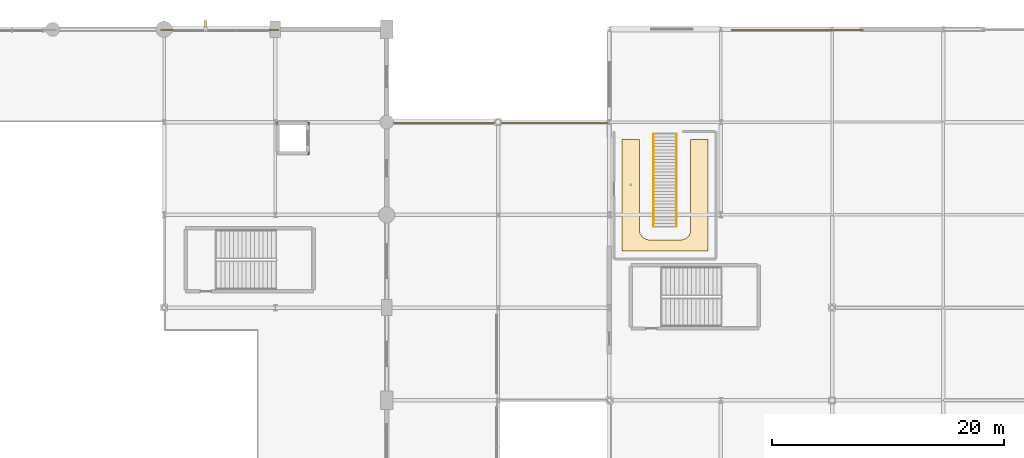
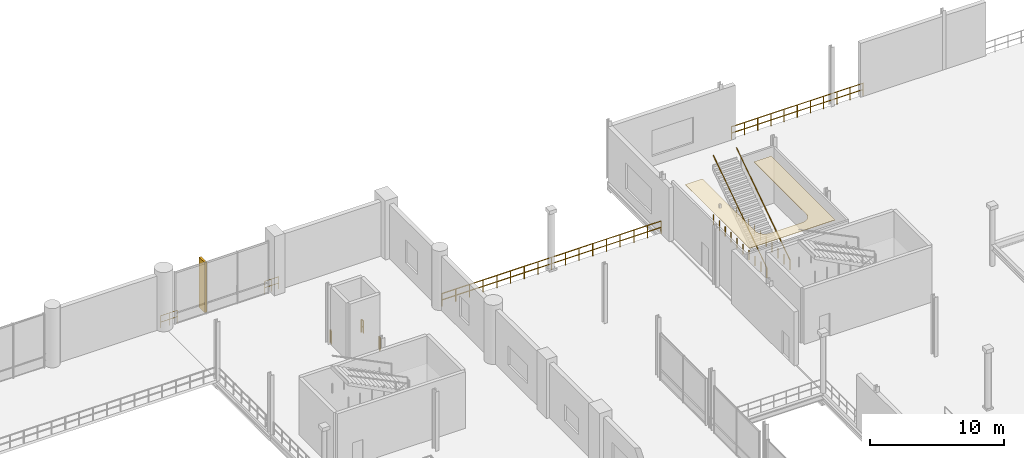
# One storey, part 128 of 129: 9 railings, 1 covering, 1 shading device.
"""IFC4 building model written with IfcOpenShell, lengths in metres."""

from ifc_helpers import new_model, si_unit, direction, frame, origin, origin_2d, place, context, subcontext, project, spatial, polyline, rectangle, circle, outline, extrude, material, layer, layer_set, type_object, element, save


model = new_model("IFC4")

# Units and contexts
model_context = context("Model", 3, precision=1e-05, world=origin(), true_north=direction((0.0, 1.0)))
body_context = subcontext(model_context, "Body", "Model", "MODEL_VIEW")
ifc_project = project(units=[si_unit("LENGTHUNIT", "METRE"), si_unit("AREAUNIT", "SQUARE_METRE"), si_unit("VOLUMEUNIT", "CUBIC_METRE"), si_unit("PLANEANGLEUNIT", "RADIAN"), si_unit("MASSUNIT", "GRAM", prefix="KILO")], contexts=[model_context])

# Site, building, storey
site_placement = place(None, origin())
site = spatial("IfcSite", under=ifc_project, at=site_placement, CompositionType="ELEMENT")
building_placement = place(site_placement, origin())
building = spatial("IfcBuilding", under=site, at=building_placement, Name="Danafjord Basin Convention Centre", CompositionType="ELEMENT")
storey_placement = place(building_placement, frame((0.0, 0.0, 6.0)))
storey = spatial("IfcBuildingStorey", under=building, at=storey_placement, Name="L01", CompositionType="ELEMENT", Elevation=6.0)

# Covering
ifc_material_1 = material(Name="Acoustic mineral-fibre tile ceiling")
ifc_layer = layer(ifc_material_1, 0.030029296875)
ifc_layer_set = layer_set([ifc_layer], Name="Acoustic mineral-fibre tile ceiling")
covering_type = type_object("IfcCoveringType", Name="COV-CLG-GYP01", PredefinedType="CEILING", material=ifc_layer_set)
covering_placement = place(storey_placement, frame((0.0, 0.0, 4.85009765625)))
element("IfcCovering", 1, at=covering_placement, inside=storey, type_object=covering_type, Name="Speaker Media and Interpretation Suite acoustic ceiling", PredefinedType="CEILING", context=body_context, shape_type="SweptSolid", body=[
    extrude(outline(polyline([(136.989990234375, 134.5), (136.989990234375, 126.699951171875), (136.990966796875, 126.656005859375), (136.991943359375, 126.639892578125), (136.9970703125, 126.591064453125), (136.9990234375, 126.575927734375), (137.01708984375, 126.489013671875), (137.02099609375, 126.47412109375), (137.032958984375, 126.43310546875), (137.0380859375, 126.41796875), (137.075927734375, 126.325927734375), (137.0830078125, 126.31201171875), (137.10107421875, 126.278076171875), (137.10888671875, 126.263916015625), (137.14111328125, 126.212890625), (137.14990234375, 126.199951171875), (137.18896484375, 126.14892578125), (137.23095703125, 126.10302734375), (137.241943359375, 126.092041015625), (137.2529296875, 126.0810546875), (137.299072265625, 126.0390625), (137.35009765625, 126.0), (137.363037109375, 125.990966796875), (137.4140625, 125.958984375), (137.427978515625, 125.950927734375), (137.4619140625, 125.93310546875), (137.47607421875, 125.926025390625), (137.568115234375, 125.887939453125), (137.5830078125, 125.883056640625), (137.6240234375, 125.87109375), (137.638916015625, 125.866943359375), (137.72607421875, 125.84912109375), (137.740966796875, 125.846923828125), (137.7900390625, 125.842041015625), (137.805908203125, 125.841064453125), (137.85009765625, 125.840087890625), (140.550048828125, 125.840087890625), (140.593994140625, 125.841064453125), (140.610107421875, 125.842041015625), (140.658935546875, 125.846923828125), (140.674072265625, 125.84912109375), (140.760986328125, 125.866943359375), (140.77587890625, 125.87109375), (140.81689453125, 125.883056640625), (140.83203125, 125.887939453125), (140.924072265625, 125.926025390625), (140.93798828125, 125.93310546875), (140.971923828125, 125.950927734375), (140.986083984375, 125.958984375), (141.037109375, 125.990966796875), (141.050048828125, 126.0), (141.10107421875, 126.0390625), (141.14697265625, 126.0810546875), (141.157958984375, 126.092041015625), (141.1689453125, 126.10302734375), (141.2109375, 126.14892578125), (141.25, 126.199951171875), (141.259033203125, 126.212890625), (141.291015625, 126.263916015625), (141.299072265625, 126.278076171875), (141.31689453125, 126.31201171875), (141.323974609375, 126.325927734375), (141.362060546875, 126.41796875), (141.366943359375, 126.43310546875), (141.37890625, 126.47412109375), (141.383056640625, 126.489013671875), (141.40087890625, 126.575927734375), (141.403076171875, 126.591064453125), (141.407958984375, 126.639892578125), (141.408935546875, 126.656005859375), (141.409912109375, 126.699951171875), (141.409912109375, 134.5), (142.89990234375, 134.5), (142.89990234375, 124.89990234375), (135.5, 124.89990234375), (135.5, 134.5), (136.989990234375, 134.5)])), origin(), (0.0, 0.0, 1.0), 0.02978515625),
])

# Railings
ifc_material_2 = material(Name="Laminated structural glass and stainless steel", Category="steel")
railing_type_1 = type_object("IfcRailingType", Name="RL-BAL-GLS", PredefinedType="BALUSTRADE", material=ifc_material_2)
railing_1_placement = place(storey_placement, frame((95.719970703125, 143.919921875, 0.0)))
element("IfcRailing", 2, at=railing_1_placement, inside=storey, type_object=railing_type_1, Name="L01 safety guard balustrade 10", PredefinedType="BALUSTRADE", context=body_context, shape_type="SweptSolid", body=[
    extrude(circle(Radius=0.02392578125, at=origin_2d()), frame((0.0, 0.0, 1.1259765625), z_axis=(1.0, 0.0, 0.0), x_axis=(0.0, 1.0, 0.0)), (0.0, 0.0, 1.0), 1.4599609375),
    extrude(circle(Radius=0.02392578125, at=origin_2d()), frame((0.0, 0.0, 0.55078125), z_axis=(1.0, 0.0, 0.0), x_axis=(0.0, 1.0, 0.0)), (0.0, 0.0, 1.0), 1.4599609375),
    extrude(circle(Radius=0.02099609375, at=origin_2d()), origin(), (0.0, 0.0, 1.0), 1.099853515625),
    extrude(circle(Radius=0.02099609375, at=origin_2d()), frame((0.72998046875, 0.0, 0.0)), (0.0, 0.0, 1.0), 1.099853515625),
    extrude(circle(Radius=0.02099609375, at=origin_2d()), frame((1.4599609375, 0.0, 0.0)), (0.0, 0.0, 1.0), 1.099853515625),
])
railing_2_placement = place(storey_placement, frame((104.669921875, 143.919921875, 0.0)))
element("IfcRailing", 3, at=railing_2_placement, inside=storey, type_object=railing_type_1, Name="L01 safety guard balustrade 11", PredefinedType="BALUSTRADE", context=body_context, shape_type="SweptSolid", body=[
    extrude(circle(Radius=0.02392578125, at=origin_2d()), frame((0.0, 0.0, 1.1259765625), z_axis=(1.0, 0.0, 0.0), x_axis=(0.0, 1.0, 0.0)), (0.0, 0.0, 1.0), 1.2099609375),
    extrude(circle(Radius=0.02392578125, at=origin_2d()), frame((0.0, 0.0, 0.55078125), z_axis=(1.0, 0.0, 0.0), x_axis=(0.0, 1.0, 0.0)), (0.0, 0.0, 1.0), 1.2099609375),
    extrude(circle(Radius=0.02099609375, at=origin_2d()), origin(), (0.0, 0.0, 1.0), 1.099853515625),
    extrude(circle(Radius=0.02099609375, at=origin_2d()), frame((0.60498046875, 0.0, 0.0)), (0.0, 0.0, 1.0), 1.099853515625),
    extrude(circle(Radius=0.02099609375, at=origin_2d()), frame((1.2099609375, 0.0, 0.0)), (0.0, 0.0, 1.0), 1.099853515625),
])
railing_3_placement = place(storey_placement, frame((115.35009765625, 135.919921875, 0.0)))
element("IfcRailing", 4, at=railing_3_placement, inside=storey, type_object=railing_type_1, Name="L01 safety guard balustrade 12", PredefinedType="BALUSTRADE", context=body_context, shape_type="SweptSolid", body=[
    extrude(circle(Radius=0.02392578125, at=origin_2d()), frame((0.0, 0.0, 1.1259765625), z_axis=(1.0, 0.0, 0.0), x_axis=(0.0, 1.0, 0.0)), (0.0, 0.0, 1.0), 18.89990234375),
    extrude(circle(Radius=0.02392578125, at=origin_2d()), frame((0.0, 0.0, 0.55078125), z_axis=(1.0, 0.0, 0.0), x_axis=(0.0, 1.0, 0.0)), (0.0, 0.0, 1.0), 18.89990234375),
    extrude(circle(Radius=0.02099609375, at=origin_2d()), origin(), (0.0, 0.0, 1.0), 1.099853515625),
    extrude(circle(Radius=0.02099609375, at=origin_2d()), frame((1.18115234375, 0.0, 0.0)), (0.0, 0.0, 1.0), 1.099853515625),
    extrude(circle(Radius=0.02099609375, at=origin_2d()), frame((2.362548828125, 0.0, 0.0)), (0.0, 0.0, 1.0), 1.099853515625),
    extrude(circle(Radius=0.02099609375, at=origin_2d()), frame((3.543701171875, 0.0, 0.0)), (0.0, 0.0, 1.0), 1.099853515625),
    extrude(circle(Radius=0.02099609375, at=origin_2d()), frame((4.72509765625, 0.0, 0.0)), (0.0, 0.0, 1.0), 1.099853515625),
    extrude(circle(Radius=0.02099609375, at=origin_2d()), frame((5.90625, 0.0, 0.0)), (0.0, 0.0, 1.0), 1.099853515625),
    extrude(circle(Radius=0.02099609375, at=origin_2d()), frame((7.08740234375, 0.0, 0.0)), (0.0, 0.0, 1.0), 1.099853515625),
    extrude(circle(Radius=0.02099609375, at=origin_2d()), frame((8.268798828125, 0.0, 0.0)), (0.0, 0.0, 1.0), 1.099853515625),
    extrude(circle(Radius=0.02099609375, at=origin_2d()), frame((9.449951171875, 0.0, 0.0)), (0.0, 0.0, 1.0), 1.099853515625),
    extrude(circle(Radius=0.02099609375, at=origin_2d()), frame((10.631103515625, 0.0, 0.0)), (0.0, 0.0, 1.0), 1.099853515625),
    extrude(circle(Radius=0.02099609375, at=origin_2d()), frame((11.8125, 0.0, 0.0)), (0.0, 0.0, 1.0), 1.099853515625),
    extrude(circle(Radius=0.02099609375, at=origin_2d()), frame((12.99365234375, 0.0, 0.0)), (0.0, 0.0, 1.0), 1.099853515625),
    extrude(circle(Radius=0.02099609375, at=origin_2d()), frame((14.1748046875, 0.0, 0.0)), (0.0, 0.0, 1.0), 1.099853515625),
    extrude(circle(Radius=0.02099609375, at=origin_2d()), frame((15.356201171875, 0.0, 0.0)), (0.0, 0.0, 1.0), 1.099853515625),
    extrude(circle(Radius=0.02099609375, at=origin_2d()), frame((16.537353515625, 0.0, 0.0)), (0.0, 0.0, 1.0), 1.099853515625),
    extrude(circle(Radius=0.02099609375, at=origin_2d()), frame((17.71875, 0.0, 0.0)), (0.0, 0.0, 1.0), 1.099853515625),
    extrude(circle(Radius=0.02099609375, at=origin_2d()), frame((18.89990234375, 0.0, 0.0)), (0.0, 0.0, 1.0), 1.099853515625),
])
railing_4_placement = place(storey_placement, frame((144.919921875, 143.919921875, 0.0)))
element("IfcRailing", 5, at=railing_4_placement, inside=storey, type_object=railing_type_1, Name="L01 safety guard balustrade 13", PredefinedType="BALUSTRADE", context=body_context, shape_type="SweptSolid", body=[
    extrude(circle(Radius=0.02392578125, at=origin_2d()), frame((0.0, 0.0, 1.1259765625), z_axis=(1.0, 0.0, 0.0), x_axis=(0.0, 1.0, 0.0)), (0.0, 0.0, 1.0), 11.360107421875),
    extrude(circle(Radius=0.02392578125, at=origin_2d()), frame((0.0, 0.0, 0.55078125), z_axis=(1.0, 0.0, 0.0), x_axis=(0.0, 1.0, 0.0)), (0.0, 0.0, 1.0), 11.360107421875),
    extrude(circle(Radius=0.02099609375, at=origin_2d()), origin(), (0.0, 0.0, 1.0), 1.099853515625),
    extrude(circle(Radius=0.02099609375, at=origin_2d()), frame((1.135986328125, 0.0, 0.0)), (0.0, 0.0, 1.0), 1.099853515625),
    extrude(circle(Radius=0.02099609375, at=origin_2d()), frame((2.27197265625, 0.0, 0.0)), (0.0, 0.0, 1.0), 1.099853515625),
    extrude(circle(Radius=0.02099609375, at=origin_2d()), frame((3.407958984375, 0.0, 0.0)), (0.0, 0.0, 1.0), 1.099853515625),
    extrude(circle(Radius=0.02099609375, at=origin_2d()), frame((4.5439453125, 0.0, 0.0)), (0.0, 0.0, 1.0), 1.099853515625),
    extrude(circle(Radius=0.02099609375, at=origin_2d()), frame((5.68017578125, 0.0, 0.0)), (0.0, 0.0, 1.0), 1.099853515625),
    extrude(circle(Radius=0.02099609375, at=origin_2d()), frame((6.816162109375, 0.0, 0.0)), (0.0, 0.0, 1.0), 1.099853515625),
    extrude(circle(Radius=0.02099609375, at=origin_2d()), frame((7.9521484375, 0.0, 0.0)), (0.0, 0.0, 1.0), 1.099853515625),
    extrude(circle(Radius=0.02099609375, at=origin_2d()), frame((9.088134765625, 0.0, 0.0)), (0.0, 0.0, 1.0), 1.099853515625),
    extrude(circle(Radius=0.02099609375, at=origin_2d()), frame((10.22412109375, 0.0, 0.0)), (0.0, 0.0, 1.0), 1.099853515625),
    extrude(circle(Radius=0.02099609375, at=origin_2d()), frame((11.360107421875, 0.0, 0.0)), (0.0, 0.0, 1.0), 1.099853515625),
])
railing_5_placement = place(storey_placement, frame((108.39990234375, 133.219970703125, 0.0)))
element("IfcRailing", 6, at=railing_5_placement, inside=storey, type_object=railing_type_1, Name="L01 safety guard balustrade 84", PredefinedType="BALUSTRADE", context=body_context, shape_type="SweptSolid", body=[
    extrude(circle(Radius=0.02392578125, at=origin_2d()), frame((0.0, 0.0, 1.1259765625), z_axis=(1.0, 0.0, 0.0), x_axis=(0.0, 1.0, 0.0)), (0.0, 0.0, 1.0), 0.080078125),
    extrude(circle(Radius=0.02392578125, at=origin_2d()), frame((0.0, 0.0, 0.55078125), z_axis=(1.0, 0.0, 0.0), x_axis=(0.0, 1.0, 0.0)), (0.0, 0.0, 1.0), 0.080078125),
    extrude(circle(Radius=0.02392578125, at=origin_2d()), frame((0.080078125, 0.0, 1.1259765625), z_axis=(0.0, 1.0, 0.0), x_axis=(-1.0, 0.0, 0.0)), (0.0, 0.0, 1.0), 0.215087890625),
    extrude(circle(Radius=0.02392578125, at=origin_2d()), frame((0.080078125, 0.0, 0.55078125), z_axis=(0.0, 1.0, 0.0), x_axis=(-1.0, 0.0, 0.0)), (0.0, 0.0, 1.0), 0.215087890625),
    extrude(circle(Radius=0.02099609375, at=origin_2d()), origin(), (0.0, 0.0, 1.0), 1.099853515625),
    extrude(circle(Radius=0.02099609375, at=origin_2d()), frame((0.080078125, 0.0, 0.0)), (0.0, 0.0, 1.0), 1.099853515625),
    extrude(circle(Radius=0.02099609375, at=origin_2d()), frame((0.080078125, 0.215087890625, 0.0)), (0.0, 0.0, 1.0), 1.099853515625),
])
railing_6_placement = place(storey_placement, frame((105.800048828125, 135.97998046875, 0.0)))
element("IfcRailing", 7, at=railing_6_placement, inside=storey, type_object=railing_type_1, Name="L01 safety guard balustrade 86", PredefinedType="BALUSTRADE", context=body_context, shape_type="SweptSolid", body=[
    extrude(circle(Radius=0.02392578125, at=origin_2d()), frame((0.0, 0.0, 1.1259765625), z_axis=(-1.0, 0.0, 0.0), x_axis=(0.0, -1.0, 0.0)), (0.0, 0.0, 1.0), 0.080078125),
    extrude(circle(Radius=0.02392578125, at=origin_2d()), frame((0.0, 0.0, 0.55078125), z_axis=(-1.0, 0.0, 0.0), x_axis=(0.0, -1.0, 0.0)), (0.0, 0.0, 1.0), 0.080078125),
    extrude(circle(Radius=0.02392578125, at=origin_2d()), frame((-0.080078125, 0.0, 1.1259765625), z_axis=(0.0, -1.0, 0.0), x_axis=(1.0, 0.0, 0.0)), (0.0, 0.0, 1.0), 0.215087890625),
    extrude(circle(Radius=0.02392578125, at=origin_2d()), frame((-0.080078125, 0.0, 0.55078125), z_axis=(0.0, -1.0, 0.0), x_axis=(1.0, 0.0, 0.0)), (0.0, 0.0, 1.0), 0.215087890625),
    extrude(circle(Radius=0.02099609375, at=origin_2d()), origin(), (0.0, 0.0, 1.0), 1.099853515625),
    extrude(circle(Radius=0.02099609375, at=origin_2d()), frame((-0.080078125, 0.0, 0.0)), (0.0, 0.0, 1.0), 1.099853515625),
    extrude(circle(Radius=0.02099609375, at=origin_2d()), frame((-0.080078125, -0.215087890625, 0.0)), (0.0, 0.0, 1.0), 1.099853515625),
])
ifc_material_3 = material(Name="Galvanised and powder-coated steel S355", Category="steel")
railing_type_2 = type_object("IfcRailingType", Name="RL-BAL-STL", PredefinedType="BALUSTRADE", material=ifc_material_3)
railing_7_placement = place(storey_placement, frame((108.47998046875, 135.764892578125, 0.0)))
element("IfcRailing", 8, at=railing_7_placement, inside=storey, type_object=railing_type_2, Name="L01 safety guard balustrade 85", PredefinedType="BALUSTRADE", context=body_context, shape_type="SweptSolid", body=[
    extrude(circle(Radius=0.02392578125, at=origin_2d()), frame((0.0, 0.0, 1.1259765625), z_axis=(0.0, 1.0, 0.0), x_axis=(-1.0, 0.0, 0.0)), (0.0, 0.0, 1.0), 0.215087890625),
    extrude(circle(Radius=0.02392578125, at=origin_2d()), frame((0.0, 0.0, 0.55078125), z_axis=(0.0, 1.0, 0.0), x_axis=(-1.0, 0.0, 0.0)), (0.0, 0.0, 1.0), 0.215087890625),
    extrude(circle(Radius=0.02392578125, at=origin_2d()), frame((0.0, 0.215087890625, 1.1259765625), z_axis=(-1.0, 0.0, 0.0), x_axis=(0.0, -1.0, 0.0)), (0.0, 0.0, 1.0), 0.080078125),
    extrude(circle(Radius=0.02392578125, at=origin_2d()), frame((0.0, 0.215087890625, 0.55078125), z_axis=(-1.0, 0.0, 0.0), x_axis=(0.0, -1.0, 0.0)), (0.0, 0.0, 1.0), 0.080078125),
    extrude(circle(Radius=0.02099609375, at=origin_2d()), origin(), (0.0, 0.0, 1.0), 1.099853515625),
    extrude(circle(Radius=0.02099609375, at=origin_2d()), frame((0.0, 0.215087890625, 0.0)), (0.0, 0.0, 1.0), 1.099853515625),
    extrude(circle(Radius=0.02099609375, at=origin_2d()), frame((-0.080078125, 0.215087890625, 0.0)), (0.0, 0.0, 1.0), 1.099853515625),
])
ifc_material_4 = material(Name="Brushed stainless steel EN 1.4404", Category="steel")
railing_type_3 = type_object("IfcRailingType", Name="RL-HR-STAIR", PredefinedType="HANDRAIL", material=ifc_material_4)
for number, where, name in (
    (9, (138.199951171875, 127.0, 0.0), "Plenary Balcony Foyer Stair handrail L"),
    (10, (140.199951171875, 127.0, 0.0), "Plenary Balcony Foyer Stair handrail R"),
):
    element("IfcRailing", number, at=place(storey_placement, frame(where)), inside=storey, type_object=railing_type_3, Name=name, PredefinedType="HANDRAIL", context=body_context, shape_type="SweptSolid", body=[
        extrude(circle(Radius=0.02392578125, at=origin_2d()), frame((0.0, 0.0, 0.89599609375), z_axis=(0.0, 0.828043208157, 0.560664289415), x_axis=(-1.0, 0.0, 0.0)), (0.0, 0.0, 1.0), 9.63134765625),
        extrude(circle(Radius=0.02099609375, at=origin_2d()), origin(), (0.0, 0.0, 1.0), 0.869873046875),
        extrude(circle(Radius=0.02099609375, at=origin_2d()), frame((0.0, 0.88623046875, 0.0)), (0.0, 0.0, 1.0), 0.869873046875),
        extrude(circle(Radius=0.02099609375, at=origin_2d()), frame((0.0, 1.772216796875, 0.0)), (0.0, 0.0, 1.0), 0.869873046875),
        extrude(circle(Radius=0.02099609375, at=origin_2d()), frame((0.0, 2.658447265625, 0.0)), (0.0, 0.0, 1.0), 0.869873046875),
        extrude(circle(Radius=0.02099609375, at=origin_2d()), frame((0.0, 3.54443359375, 0.0)), (0.0, 0.0, 1.0), 0.869873046875),
        extrude(circle(Radius=0.02099609375, at=origin_2d()), frame((0.0, 4.4306640625, 0.0)), (0.0, 0.0, 1.0), 0.869873046875),
        extrude(circle(Radius=0.02099609375, at=origin_2d()), frame((0.0, 5.316650390625, 0.0)), (0.0, 0.0, 1.0), 0.869873046875),
        extrude(circle(Radius=0.02099609375, at=origin_2d()), frame((0.0, 6.202880859375, 0.0)), (0.0, 0.0, 1.0), 0.869873046875),
        extrude(circle(Radius=0.02099609375, at=origin_2d()), frame((0.0, 7.0888671875, 0.0)), (0.0, 0.0, 1.0), 0.869873046875),
        extrude(circle(Radius=0.02099609375, at=origin_2d()), frame((0.0, 7.97509765625, 0.0)), (0.0, 0.0, 1.0), 0.869873046875),
    ])

# Shading device
ifc_material_5 = material(Name="Architectural white precast concrete C45/55", Category="concrete")
shading_device_type = type_object("IfcShadingDeviceType", Name="SHD-FIN-A", PredefinedType="USERDEFINED", material=ifc_material_5)
shading_device_placement = place(storey_placement, frame((99.583251953125, 144.320068359375, 0.080078125), z_axis=(0.0, 0.0, 1.0), x_axis=(1.0, 0.0, 0.0)))
element("IfcShadingDevice", 11, at=shading_device_placement, inside=storey, type_object=shading_device_type, Name="L01 architectural precast solar fin 10", ObjectType="FIN", PredefinedType="USERDEFINED", context=body_context, shape_type="SweptSolid", body=[
    extrude(rectangle(XDim=0.179931640625, YDim=0.840087890625, at=origin_2d()), origin(), (0.0, 0.0, 1.0), 4.570068359375),
])

save(model, "model.ifc")
